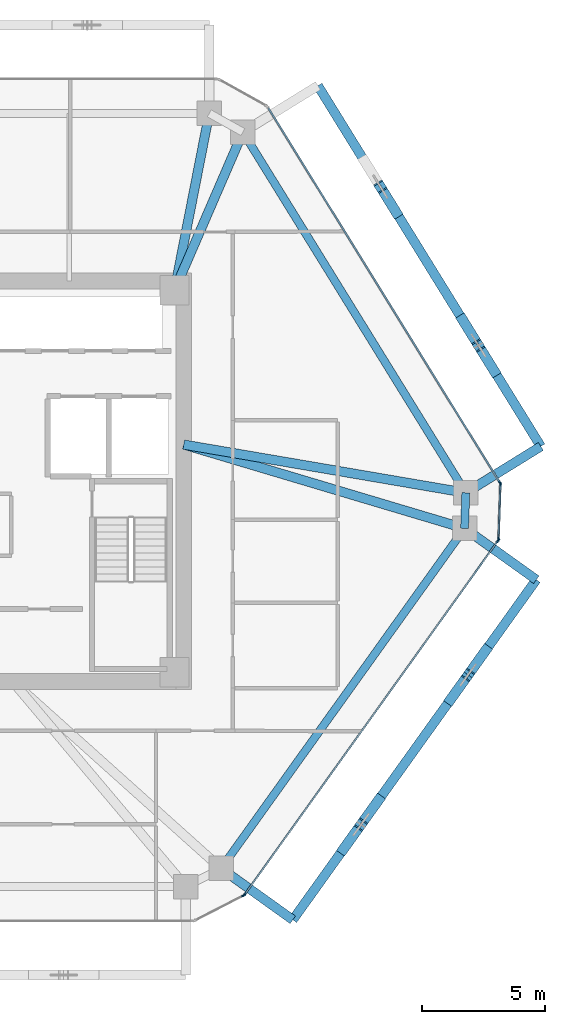
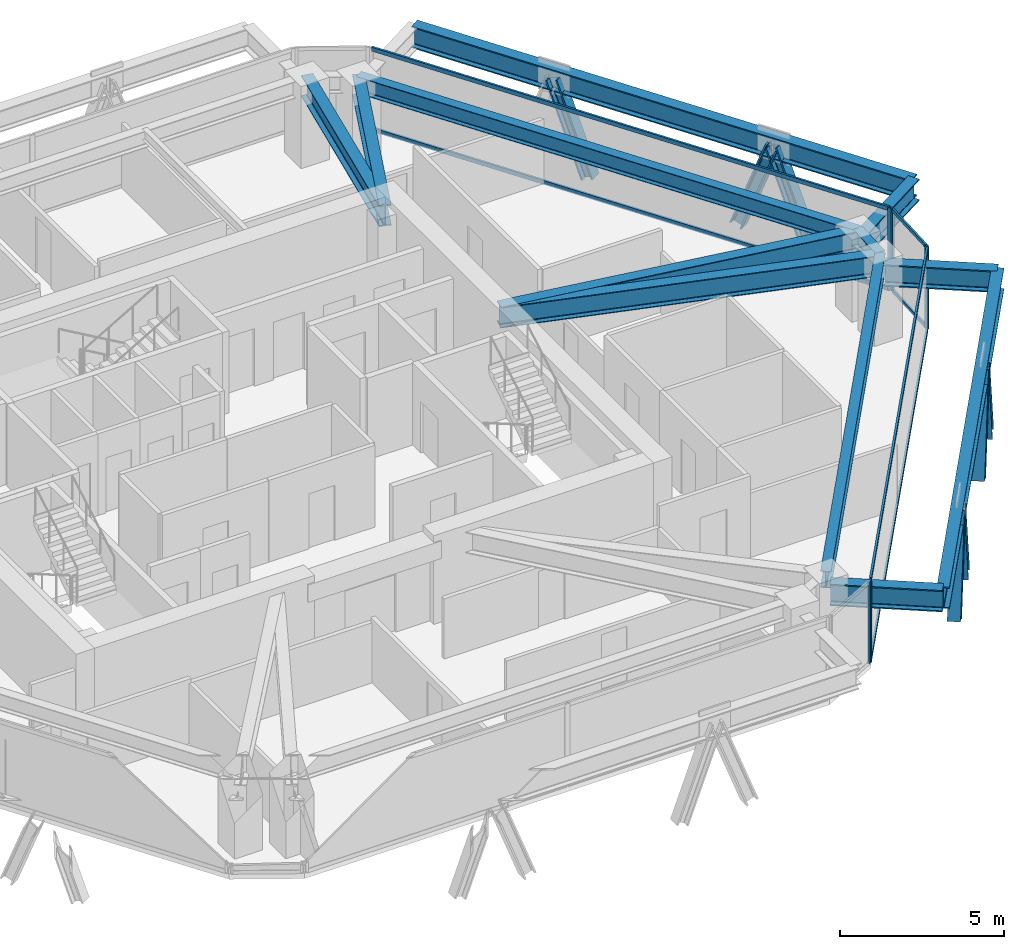
# One storey, part 5 of 14: 19 members, 12 beams, 4 elements without a shape of their own.
"""IFC4 building model written with IfcOpenShell, lengths in metres."""

from ifc_helpers import new_model, si_unit, direction, frame, origin, origin_2d, place, context, subcontext, project, spatial, rectangle, i_section, extrude, source, transform, mapped, material, layer, layer_set, material_profile, profile_set, type_object, type_shapes, element, aggregate, save


model = new_model("IFC4")

# Units and contexts
model_context = context("Model", 3, precision=1e-05, world=origin(), true_north=direction((0.0, 1.0)))
body_context = subcontext(model_context, "Body", "Model", "MODEL_VIEW")
ifc_project = project(units=[si_unit("LENGTHUNIT", "METRE"), si_unit("AREAUNIT", "SQUARE_METRE"), si_unit("VOLUMEUNIT", "CUBIC_METRE"), si_unit("PLANEANGLEUNIT", "RADIAN"), si_unit("MASSUNIT", "GRAM", prefix="KILO")], contexts=[model_context])

# Site, building, storey
site_placement = place(None, origin())
site = spatial("IfcSite", under=ifc_project, at=site_placement, CompositionType="ELEMENT")
building_placement = place(site_placement, origin())
building = spatial("IfcBuilding", under=site, at=building_placement, Name="Durnholm Broadcast Tower", CompositionType="ELEMENT")
storey_placement = place(building_placement, frame((0.0, 0.0, 193.60009765625)))
storey = spatial("IfcBuildingStorey", under=building, at=storey_placement, Name="L53", CompositionType="ELEMENT", Elevation=193.60009765625)

# Beams
ifc_material_1 = material(Name="Steel ASTM A992 Grade 50", Category="steel")
ifc_material_profile_1 = material_profile(ifc_material_1, i_section(OverallWidth=0.385009765625, OverallDepth=0.802978515625, WebThickness=0.023681640625, FlangeThickness=0.0419921875, FilletRadius=0.032958984375, at=origin_2d()), Name="W30X261")
ifc_profile_set_1 = profile_set([ifc_material_profile_1], Name="Steel ASTM A992 Grade 50")
beam_type_1 = type_object("IfcBeamType", Name="BM-EXO-TIE", PredefinedType="USERDEFINED", material=ifc_profile_set_1)
shared_shape_1 = source(origin(), body_context, "Body", "SweptSolid", [
    extrude(i_section(OverallWidth=0.385009765625, OverallDepth=0.802978515625, WebThickness=0.023681640625, FlangeThickness=0.0419921875, FilletRadius=0.032958984375, at=origin_2d()), origin(), (0.0, 0.0, 1.0), 3.4560546875),
])
for number, where, z_axis, x_axis, name in (
    (1, (11.81689453125, -15.884033203125, 2.308349609375), (0.813079048773, -0.582153296346, 0.0), (0.582153296346, 0.813079048773, 0.0), "L53 exoskeleton stand-off tie bracket F2.1"),
    (2, (21.7548828125, -2.00341796875, 2.308349609375), (0.813079048773, -0.582153296346, 0.0), (0.582153296346, 0.813079048773, 0.0), "L53 exoskeleton stand-off tie bracket F2.2"),
    (3, (21.8095703125, -0.3916015625, 2.308349609375), (0.850662348375, 0.525712439512, 0.0), (-0.525712439512, 0.850662348375, 0.0), "L53 exoskeleton stand-off tie bracket F3.1"),
):
    element("IfcBeam", number, at=place(storey_placement, frame(where, z_axis=z_axis, x_axis=x_axis)), inside=storey, type_object=beam_type_1, Name=name, ObjectType="GIRDER", PredefinedType="USERDEFINED", context=body_context, shape_type="MappedRepresentation", body=[
        mapped(shared_shape_1, transform((0.0, 0.0, 0.0), x_axis=(1.0, 0.0, 0.0), y_axis=(0.0, 1.0, 0.0), z_axis=(0.0, 0.0, 1.0), scale=1.0)),
    ])
ifc_material_profile_2 = material_profile(ifc_material_1, i_section(OverallWidth=0.3251953125, OverallDepth=0.6162109375, WebThickness=0.013916015625, FlangeThickness=0.021484375, FilletRadius=0.02783203125, at=origin_2d()), Name="W24X117")
ifc_profile_set_2 = profile_set([ifc_material_profile_2], Name="Steel ASTM A992 Grade 50")
beam_type_2 = type_object("IfcBeamType", Name="STL-SP-W24X117", PredefinedType="SPANDREL", material=ifc_profile_set_2)
shared_shape_2 = source(origin(), body_context, "Body", "SweptSolid", [
    extrude(i_section(OverallWidth=0.3251953125, OverallDepth=0.6162109375, WebThickness=0.013916015625, FlangeThickness=0.021484375, FilletRadius=0.02783203125, at=origin_2d()), origin(), (0.0, 0.0, 1.0), 17.30322265625),
])
beam_1_placement = place(storey_placement, frame((12.5908203125, 14.252197265625, 2.73681640625), z_axis=(0.525691424148, -0.850675335588, 0.0), x_axis=(0.850675335588, 0.525691424148, 0.0)))
element("IfcBeam", 4, at=beam_1_placement, inside=storey, type_object=beam_type_2, Name="L53 perimeter spandrel girder 07", PredefinedType="SPANDREL", context=body_context, shape_type="MappedRepresentation", body=[
    mapped(shared_shape_2, transform((0.0, 0.0, 0.0), x_axis=(1.0, 0.0, 0.0), y_axis=(0.0, 1.0, 0.0), z_axis=(0.0, 0.0, 1.0), scale=1.0)),
])
shared_shape_3 = source(origin(), body_context, "Body", "SweptSolid", [
    extrude(i_section(OverallWidth=0.3251953125, OverallDepth=0.6162109375, WebThickness=0.013916015625, FlangeThickness=0.021484375, FilletRadius=0.02783203125, at=origin_2d()), origin(), (0.0, 0.0, 1.0), 1.453125),
])
beam_2_placement = place(storey_placement, frame((21.68701171875, -0.46728515625, 2.73681640625), z_axis=(-0.033767922326, -0.99942970109, 0.0), x_axis=(0.99942970109, -0.033767922326, 0.0)))
element("IfcBeam", 5, at=beam_2_placement, inside=storey, type_object=beam_type_2, Name="L53 perimeter spandrel girder 08", PredefinedType="SPANDREL", context=body_context, shape_type="MappedRepresentation", body=[
    mapped(shared_shape_3, transform((0.0, 0.0, 0.0), x_axis=(1.0, 0.0, 0.0), y_axis=(0.0, 1.0, 0.0), z_axis=(0.0, 0.0, 1.0), scale=1.0)),
])
shared_shape_4 = source(origin(), body_context, "Body", "SweptSolid", [
    extrude(i_section(OverallWidth=0.3251953125, OverallDepth=0.6162109375, WebThickness=0.013916015625, FlangeThickness=0.021484375, FilletRadius=0.02783203125, at=origin_2d()), origin(), (0.0, 0.0, 1.0), 17.071533203125),
])
type_shapes(beam_type_2, [shared_shape_2, shared_shape_3, shared_shape_4])
beam_3_placement = place(storey_placement, frame((21.637939453125, -1.919677734375, 2.73681640625), z_axis=(-0.582149612352, -0.813081686449, 0.0), x_axis=(0.813081686449, -0.582149612352, 0.0)))
element("IfcBeam", 6, at=beam_3_placement, inside=storey, type_object=beam_type_2, Name="L53 perimeter spandrel girder 09", PredefinedType="SPANDREL", context=body_context, shape_type="MappedRepresentation", body=[
    mapped(shared_shape_4, transform((0.0, 0.0, 0.0), x_axis=(1.0, 0.0, 0.0), y_axis=(0.0, 1.0, 0.0), z_axis=(0.0, 0.0, 1.0), scale=1.0)),
])
ifc_material_profile_3 = material_profile(ifc_material_1, i_section(OverallWidth=0.380615234375, OverallDepth=0.773193359375, WebThickness=0.0166015625, FlangeThickness=0.027099609375, FilletRadius=0.032958984375, at=origin_2d()), Name="W30X173")
ifc_profile_set_3 = profile_set([ifc_material_profile_3], Name="Steel ASTM A992 Grade 50")
beam_type_3 = type_object("IfcBeamType", Name="STL-GR-W30X173", PredefinedType="USERDEFINED", material=ifc_profile_set_3)
shared_shape_5 = source(origin(), body_context, "Body", "SweptSolid", [
    extrude(i_section(OverallWidth=0.380615234375, OverallDepth=0.773193359375, WebThickness=0.0166015625, FlangeThickness=0.027099609375, FilletRadius=0.032958984375, at=origin_2d()), origin(), (0.0, 0.0, 1.0), 7.35595703125),
])
beam_4_placement = place(storey_placement, frame((9.800048828125, 7.800048828125, 2.658203125), z_axis=(0.192700221893, 0.981257674865, 0.0), x_axis=(-0.981257674865, 0.192700221893, 0.0)))
element("IfcBeam", 7, at=beam_4_placement, inside=storey, type_object=beam_type_3, Name="L53 radial primary floor girder 06", ObjectType="GIRDER", PredefinedType="USERDEFINED", context=body_context, shape_type="MappedRepresentation", body=[
    mapped(shared_shape_5, transform((0.0, 0.0, 0.0), x_axis=(1.0, 0.0, 0.0), y_axis=(0.0, 1.0, 0.0), z_axis=(0.0, 0.0, 1.0), scale=1.0)),
])
shared_shape_6 = source(origin(), body_context, "Body", "SweptSolid", [
    extrude(i_section(OverallWidth=0.380615234375, OverallDepth=0.773193359375, WebThickness=0.0166015625, FlangeThickness=0.027099609375, FilletRadius=0.032958984375, at=origin_2d()), origin(), (0.0, 0.0, 1.0), 7.02978515625),
])
beam_5_placement = place(storey_placement, frame((9.800048828125, 7.800048828125, 2.658203125), z_axis=(0.396989434191, 0.91782317967, 0.0), x_axis=(-0.91782317967, 0.396989434191, 0.0)))
element("IfcBeam", 8, at=beam_5_placement, inside=storey, type_object=beam_type_3, Name="L53 radial primary floor girder 07", ObjectType="GIRDER", PredefinedType="USERDEFINED", context=body_context, shape_type="MappedRepresentation", body=[
    mapped(shared_shape_6, transform((0.0, 0.0, 0.0), x_axis=(1.0, 0.0, 0.0), y_axis=(0.0, 1.0, 0.0), z_axis=(0.0, 0.0, 1.0), scale=1.0)),
])
shared_shape_7 = source(origin(), body_context, "Body", "SweptSolid", [
    extrude(i_section(OverallWidth=0.385009765625, OverallDepth=0.802978515625, WebThickness=0.023681640625, FlangeThickness=0.0419921875, FilletRadius=0.032958984375, at=origin_2d()), origin(), (0.0, 0.0, 1.0), 17.071533203125),
])
beam_6_placement = place(storey_placement, frame((14.626953125, -17.89599609375, 2.308349609375), z_axis=(0.582140157836, 0.813088455603, 0.0), x_axis=(-0.813088455603, 0.582140157836, 0.0)))
element("IfcBeam", 9, at=beam_6_placement, inside=storey, type_object=beam_type_1, Name="L53 exoskeleton collector spandrel F2", PredefinedType="SPANDREL", context=body_context, shape_type="MappedRepresentation", body=[
    mapped(shared_shape_7, transform((0.0, 0.0, 0.0), x_axis=(1.0, 0.0, 0.0), y_axis=(0.0, 1.0, 0.0), z_axis=(0.0, 0.0, 1.0), scale=1.0)),
])
shared_shape_8 = source(origin(), body_context, "Body", "SweptSolid", [
    extrude(i_section(OverallWidth=0.385009765625, OverallDepth=0.802978515625, WebThickness=0.023681640625, FlangeThickness=0.0419921875, FilletRadius=0.032958984375, at=origin_2d()), origin(), (0.0, 0.0, 1.0), 17.303466796875),
])
type_shapes(beam_type_1, [shared_shape_1, shared_shape_7, shared_shape_8])
beam_7_placement = place(storey_placement, frame((24.74951171875, 1.42529296875, 2.308349609375), z_axis=(-0.525701634347, 0.850669025911, 0.0), x_axis=(-0.850669025911, -0.525701634347, 0.0)))
element("IfcBeam", 10, at=beam_7_placement, inside=storey, type_object=beam_type_1, Name="L53 exoskeleton collector spandrel F3", PredefinedType="SPANDREL", context=body_context, shape_type="MappedRepresentation", body=[
    mapped(shared_shape_8, transform((0.0, 0.0, 0.0), x_axis=(1.0, 0.0, 0.0), y_axis=(0.0, 1.0, 0.0), z_axis=(0.0, 0.0, 1.0), scale=1.0)),
])
shared_shape_9 = source(origin(), body_context, "Body", "SweptSolid", [
    extrude(i_section(OverallWidth=0.380615234375, OverallDepth=0.773193359375, WebThickness=0.0166015625, FlangeThickness=0.027099609375, FilletRadius=0.032958984375, at=origin_2d()), origin(), (0.0, 0.0, 1.0), 11.678955078125),
])
beam_8_placement = place(storey_placement, frame((10.175048828125, 1.5, 2.658203125), z_axis=(0.985710446264, -0.168448556317, 0.0), x_axis=(0.168448556317, 0.985710446264, 0.0)))
element("IfcBeam", 11, at=beam_8_placement, inside=storey, type_object=beam_type_3, Name="L53 radial primary floor girder 08", ObjectType="GIRDER", PredefinedType="USERDEFINED", context=body_context, shape_type="MappedRepresentation", body=[
    mapped(shared_shape_9, transform((0.0, 0.0, 0.0), x_axis=(1.0, 0.0, 0.0), y_axis=(0.0, 1.0, 0.0), z_axis=(0.0, 0.0, 1.0), scale=1.0)),
])
shared_shape_10 = source(origin(), body_context, "Body", "SweptSolid", [
    extrude(i_section(OverallWidth=0.380615234375, OverallDepth=0.773193359375, WebThickness=0.0166015625, FlangeThickness=0.027099609375, FilletRadius=0.032958984375, at=origin_2d()), origin(), (0.0, 0.0, 1.0), 11.962158203125),
])
type_shapes(beam_type_3, [shared_shape_5, shared_shape_6, shared_shape_9, shared_shape_10])
beam_9_placement = place(storey_placement, frame((10.175048828125, 1.5, 2.658203125), z_axis=(0.958266673737, -0.285875815706, 0.0), x_axis=(0.285875815706, 0.958266673737, 0.0)))
element("IfcBeam", 12, at=beam_9_placement, inside=storey, type_object=beam_type_3, Name="L53 radial primary floor girder 09", ObjectType="GIRDER", PredefinedType="USERDEFINED", context=body_context, shape_type="MappedRepresentation", body=[
    mapped(shared_shape_10, transform((0.0, 0.0, 0.0), x_axis=(1.0, 0.0, 0.0), y_axis=(0.0, 1.0, 0.0), z_axis=(0.0, 0.0, 1.0), scale=1.0)),
])

# Members
ifc_material_2 = material(Name="Steel ASTM A913 Grade 65", Category="steel")
ifc_material_profile_4 = material_profile(ifc_material_2, i_section(OverallWidth=0.412109375, OverallDepth=0.434814453125, WebThickness=0.035888671875, FlangeThickness=0.057373046875, FilletRadius=0.030517578125, at=origin_2d()), Name="W14X311")
ifc_profile_set_4 = profile_set([ifc_material_profile_4], Name="Steel ASTM A913 Grade 65")
member_type_1 = type_object("IfcMemberType", Name="STL-DG-W14X311", PredefinedType="BRACE", material=ifc_profile_set_4)
shared_shape_11 = source(origin(), body_context, "Body", "SweptSolid", [
    extrude(i_section(OverallWidth=0.412109375, OverallDepth=0.434814453125, WebThickness=0.035888671875, FlangeThickness=0.057373046875, FilletRadius=0.030517578125, at=origin_2d()), origin(), (0.0, 0.0, 1.0), 3.52294921875),
])
for number, where, z_axis, x_axis, name in (
    (13, (16.69140625, -15.0126953125, -0.991455078125), (0.203882467945, 0.284756308901, 0.936667381628), (-0.813077820009, 0.582155012526, 0.0), "L53 stand-off diagrid brace F2.D1.1"),
    (14, (18.1279296875, -13.00634765625, -0.991455078125), (-0.203882467945, -0.284756308901, 0.936667381628), (0.813077820009, -0.582155012526, 0.0), "L53 stand-off diagrid brace F2.D1.2"),
    (15, (21.064208984375, -8.905029296875, -0.991455078125), (0.203882467945, 0.284756308901, 0.936667381628), (-0.813077820009, 0.582155012526, 0.0), "L53 stand-off diagrid brace F2.D2.1"),
    (16, (22.50048828125, -6.898681640625, -0.991455078125), (-0.203816046596, -0.284760331677, 0.936680614005), (0.813171482985, -0.58202417412, 0.0), "L53 stand-off diagrid brace F2.D2.2"),
    (17, (22.85107421875, 4.497314453125, -0.991455078125), (-0.18413098891, 0.297922138248, 0.936663321832), (-0.850644447398, -0.525741404219, 0.0), "L53 stand-off diagrid brace F3.D1.1"),
):
    element("IfcMember", number, at=place(storey_placement, frame(where, z_axis=z_axis, x_axis=x_axis)), inside=storey, type_object=member_type_1, Name=name, PredefinedType="BRACE", context=body_context, shape_type="MappedRepresentation", body=[
        mapped(shared_shape_11, transform((0.0, 0.0, 0.0), x_axis=(1.0, 0.0, 0.0), y_axis=(0.0, 1.0, 0.0), z_axis=(0.0, 0.0, 1.0), scale=1.0)),
    ])
shared_shape_12 = source(origin(), body_context, "Body", "SweptSolid", [
    extrude(i_section(OverallWidth=0.412109375, OverallDepth=0.434814453125, WebThickness=0.035888671875, FlangeThickness=0.057373046875, FilletRadius=0.030517578125, at=origin_2d()), origin(), (0.0, 0.0, 1.0), 3.522705078125),
])
type_shapes(member_type_1, [shared_shape_11, shared_shape_12])
for number, where, z_axis, x_axis, name in (
    (18, (21.553955078125, 6.59619140625, -0.991455078125), (0.184067836846, -0.297862787185, 0.936694609491), (0.85067825406, 0.525686701439, 0.0), "L53 stand-off diagrid brace F3.D1.2"),
    (19, (18.8486328125, 10.973876953125, -0.991455078125), (-0.184067836846, 0.297862787185, 0.936694609491), (-0.85067825406, -0.525686701439, 0.0), "L53 stand-off diagrid brace F3.D2.1"),
):
    element("IfcMember", number, at=place(storey_placement, frame(where, z_axis=z_axis, x_axis=x_axis)), inside=storey, type_object=member_type_1, Name=name, PredefinedType="BRACE", context=body_context, shape_type="MappedRepresentation", body=[
        mapped(shared_shape_12, transform((0.0, 0.0, 0.0), x_axis=(1.0, 0.0, 0.0), y_axis=(0.0, 1.0, 0.0), z_axis=(0.0, 0.0, 1.0), scale=1.0)),
    ])

# Curtain wall, members
ifc_material_3 = material(Name="Aluminium and Solar Control IGU", Category="aluminium")
ifc_layer_1 = layer(ifc_material_3, 0.1650390625)
ifc_layer_set_1 = layer_set([ifc_layer_1], Name="Aluminium and Solar Control IGU")
curtain_wall_type_1 = type_object("IfcCurtainWallType", Name="CW-SYS-5", PredefinedType="NOTDEFINED", material=ifc_layer_set_1)
curtain_wall_1_placement = place(storey_placement, origin())
curtain_wall_1 = element("IfcCurtainWall", 20, at=curtain_wall_1_placement, inside=storey, type_object=curtain_wall_type_1, Name="L53 curtain wall CW-CORNER CW-L53-CRN-07", PredefinedType="NOTDEFINED")
ifc_material_4 = material(Name="Aluminium 6063-T6", Category="aluminium")
ifc_material_profile_5 = material_profile(ifc_material_4, rectangle(XDim=0.06494140625, YDim=0.1650390625, at=origin_2d()), Name="CWM65X165")
ifc_profile_set_5 = profile_set([ifc_material_profile_5], Name="Aluminium 6063-T6")
member_type_2 = type_object("IfcMemberType", Name="CW-SYS-5-MUL", PredefinedType="MULLION", material=ifc_profile_set_5)
shared_shape_13 = source(origin(), body_context, "Body", "SweptSolid", [
    extrude(rectangle(XDim=0.06494140625, YDim=0.1650390625, at=origin_2d()), origin(), (0.0, 0.0, 1.0), 3.059814453125),
])
type_shapes(member_type_2, [shared_shape_13])
member_1_placement = place(storey_placement, frame((23.099609375, -0.1240234375, 0.0), z_axis=(0.0, 0.0, 1.0), x_axis=(0.999424798802, -0.033912704699, 0.0)))
member_1 = element("IfcMember", 21, at=member_1_placement, type_object=member_type_2, Name="CW-CORNER mullion 1", PredefinedType="MULLION", context=body_context, shape_type="MappedRepresentation", body=[
    mapped(shared_shape_13, transform((0.0, 0.0, 0.0), x_axis=(1.0, 0.0, 0.0), y_axis=(0.0, 1.0, 0.0), z_axis=(0.0, 0.0, 1.0), scale=1.0)),
])
member_2_placement = place(storey_placement, frame((23.023681640625, -2.35791015625, 0.0), z_axis=(0.0, 0.0, 1.0), x_axis=(0.999424798802, -0.033912704699, 0.0)))
member_2 = element("IfcMember", 22, at=member_2_placement, type_object=member_type_2, Name="CW-CORNER mullion 2", PredefinedType="MULLION", context=body_context, shape_type="MappedRepresentation", body=[
    mapped(shared_shape_13, transform((0.0, 0.0, 0.0), x_axis=(1.0, 0.0, 0.0), y_axis=(0.0, 1.0, 0.0), z_axis=(0.0, 0.0, 1.0), scale=1.0)),
])

# Curtain wall, member
curtain_wall_2_placement = place(storey_placement, origin())
curtain_wall_2 = element("IfcCurtainWall", 23, at=curtain_wall_2_placement, inside=storey, type_object=curtain_wall_type_1, Name="L53 curtain wall CW-CORNER CW-L53-CRN-09", PredefinedType="NOTDEFINED")
member_3_placement = place(storey_placement, frame((12.612060546875, -16.905517578125, 0.0), z_axis=(0.0, 0.0, 1.0), x_axis=(0.457081764476, -0.889424679545, 0.0)))
member_3 = element("IfcMember", 24, at=member_3_placement, type_object=member_type_2, Name="CW-CORNER mullion 1", PredefinedType="MULLION", context=body_context, shape_type="MappedRepresentation", body=[
    mapped(shared_shape_13, transform((0.0, 0.0, 0.0), x_axis=(1.0, 0.0, 0.0), y_axis=(0.0, 1.0, 0.0), z_axis=(0.0, 0.0, 1.0), scale=1.0)),
])
aggregate(curtain_wall_2, [member_3])

# Member
ifc_material_profile_6 = material_profile(ifc_material_4, rectangle(XDim=0.06494140625, YDim=0.1298828125, at=origin_2d()), Name="CWT65X130")
ifc_profile_set_6 = profile_set([ifc_material_profile_6], Name="Aluminium 6063-T6")
member_type_3 = type_object("IfcMemberType", Name="CW-SYS-5-TRN", PredefinedType="USERDEFINED", material=ifc_profile_set_6)
shared_shape_14 = source(origin(), body_context, "Body", "SweptSolid", [
    extrude(rectangle(XDim=0.06494140625, YDim=0.1298828125, at=origin_2d()), origin(), (0.0, 0.0, 1.0), 2.170166015625),
])
type_shapes(member_type_3, [shared_shape_14])
member_4_placement = place(storey_placement, frame((23.098388671875, -0.156494140625, 0.032470703125), z_axis=(-0.033861704743, -0.999426528041, 0.0), x_axis=(0.999426528041, -0.033861704743, 0.0)))
member_4 = element("IfcMember", 25, at=member_4_placement, type_object=member_type_3, Name="CW-CORNER transom 1.1", ObjectType="TRANSOM", PredefinedType="USERDEFINED", context=body_context, shape_type="MappedRepresentation", body=[
    mapped(shared_shape_14, transform((0.0, 0.0, 0.0), x_axis=(1.0, 0.0, 0.0), y_axis=(0.0, 1.0, 0.0), z_axis=(0.0, 0.0, 1.0), scale=1.0)),
])

member_5_placement = place(storey_placement, frame((23.098388671875, -0.156494140625, 3.02734375), z_axis=(-0.033861704743, -0.999426528041, 0.0), x_axis=(0.999426528041, -0.033861704743, 0.0)))
member_5 = element("IfcMember", 26, at=member_5_placement, type_object=member_type_3, Name="CW-CORNER transom 1.2", ObjectType="TRANSOM", PredefinedType="USERDEFINED", context=body_context, shape_type="MappedRepresentation", body=[
    mapped(shared_shape_14, transform((0.0, 0.0, 0.0), x_axis=(1.0, 0.0, 0.0), y_axis=(0.0, 1.0, 0.0), z_axis=(0.0, 0.0, 1.0), scale=1.0)),
])

aggregate(curtain_wall_1, [member_1, member_2, member_4, member_5])

# Curtain wall, members
ifc_layer_2 = layer(ifc_material_3, 0.18994140625)
ifc_layer_set_2 = layer_set([ifc_layer_2], Name="Aluminium and Solar Control IGU")
curtain_wall_type_2 = type_object("IfcCurtainWallType", Name="CW-SYS-4", PredefinedType="NOTDEFINED", material=ifc_layer_set_2)
curtain_wall_3_placement = place(storey_placement, origin())
curtain_wall_3 = element("IfcCurtainWall", 27, at=curtain_wall_3_placement, inside=storey, type_object=curtain_wall_type_2, Name="L53 curtain wall CW-Z34-VIS CW-L53-F06", PredefinedType="NOTDEFINED")
ifc_material_profile_7 = material_profile(ifc_material_4, rectangle(XDim=0.070068359375, YDim=0.14990234375, at=origin_2d()), Name="CWT70X150")
ifc_profile_set_7 = profile_set([ifc_material_profile_7], Name="Aluminium 6063-T6")
member_type_4 = type_object("IfcMemberType", Name="CW-SYS-4-TRN", PredefinedType="USERDEFINED", material=ifc_profile_set_7)
shared_shape_15 = source(origin(), body_context, "Body", "SweptSolid", [
    extrude(rectangle(XDim=0.070068359375, YDim=0.14990234375, at=origin_2d()), origin(), (0.0, 0.0, 1.0), 17.950927734375),
])
member_6_placement = place(storey_placement, frame((13.627197265625, 15.23828125, 0.034912109375), z_axis=(0.525699895853, -0.850670100274, 0.0), x_axis=(0.850670100274, 0.525699895853, 0.0)))
member_6 = element("IfcMember", 28, at=member_6_placement, type_object=member_type_4, Name="CW-Z34-VIS transom 1.1", ObjectType="TRANSOM", PredefinedType="USERDEFINED", context=body_context, shape_type="MappedRepresentation", body=[
    mapped(shared_shape_15, transform((0.0, 0.0, 0.0), x_axis=(1.0, 0.0, 0.0), y_axis=(0.0, 1.0, 0.0), z_axis=(0.0, 0.0, 1.0), scale=1.0)),
])
member_7_placement = place(storey_placement, frame((13.627197265625, 15.23828125, 3.02490234375), z_axis=(0.525699895853, -0.850670100274, 0.0), x_axis=(0.850670100274, 0.525699895853, 0.0)))
member_7 = element("IfcMember", 29, at=member_7_placement, type_object=member_type_4, Name="CW-Z34-VIS transom 1.2", ObjectType="TRANSOM", PredefinedType="USERDEFINED", context=body_context, shape_type="MappedRepresentation", body=[
    mapped(shared_shape_15, transform((0.0, 0.0, 0.0), x_axis=(1.0, 0.0, 0.0), y_axis=(0.0, 1.0, 0.0), z_axis=(0.0, 0.0, 1.0), scale=1.0)),
])

curtain_wall_4_placement = place(storey_placement, origin())
curtain_wall_4 = element("IfcCurtainWall", 30, at=curtain_wall_4_placement, inside=storey, type_object=curtain_wall_type_2, Name="L53 curtain wall CW-Z34-VIS CW-L53-F08", PredefinedType="NOTDEFINED")
shared_shape_16 = source(origin(), body_context, "Body", "SweptSolid", [
    extrude(rectangle(XDim=0.070068359375, YDim=0.14990234375, at=origin_2d()), origin(), (0.0, 0.0, 1.0), 17.693603515625),
])
type_shapes(member_type_4, [shared_shape_15, shared_shape_16])
member_8_placement = place(storey_placement, frame((22.98193359375, -2.447265625, 0.034912109375), z_axis=(-0.582144969277, -0.813085010774, 0.0), x_axis=(0.813085010774, -0.582144969277, 0.0)))
member_8 = element("IfcMember", 31, at=member_8_placement, type_object=member_type_4, Name="CW-Z34-VIS transom 1.1", ObjectType="TRANSOM", PredefinedType="USERDEFINED", context=body_context, shape_type="MappedRepresentation", body=[
    mapped(shared_shape_16, transform((0.0, 0.0, 0.0), x_axis=(1.0, 0.0, 0.0), y_axis=(0.0, 1.0, 0.0), z_axis=(0.0, 0.0, 1.0), scale=1.0)),
])
member_9_placement = place(storey_placement, frame((22.98193359375, -2.447265625, 3.02490234375), z_axis=(-0.582144969277, -0.813085010774, 0.0), x_axis=(0.813085010774, -0.582144969277, 0.0)))
member_9 = element("IfcMember", 32, at=member_9_placement, type_object=member_type_4, Name="CW-Z34-VIS transom 1.2", ObjectType="TRANSOM", PredefinedType="USERDEFINED", context=body_context, shape_type="MappedRepresentation", body=[
    mapped(shared_shape_16, transform((0.0, 0.0, 0.0), x_axis=(1.0, 0.0, 0.0), y_axis=(0.0, 1.0, 0.0), z_axis=(0.0, 0.0, 1.0), scale=1.0)),
])

# Member
ifc_material_profile_8 = material_profile(ifc_material_4, rectangle(XDim=0.070068359375, YDim=0.18994140625, at=origin_2d()), Name="CWM70X190")
ifc_profile_set_8 = profile_set([ifc_material_profile_8], Name="Aluminium 6063-T6")
member_type_5 = type_object("IfcMemberType", Name="CW-SYS-4-MUL", PredefinedType="MULLION", material=ifc_profile_set_8)
shared_shape_17 = source(origin(), body_context, "Body", "SweptSolid", [
    extrude(rectangle(XDim=0.070068359375, YDim=0.18994140625, at=origin_2d()), origin(), (0.0, 0.0, 1.0), 3.059814453125),
])
type_shapes(member_type_5, [shared_shape_17])
member_10_placement = place(storey_placement, frame((23.082275390625, -0.061767578125, 0.0), z_axis=(0.0, 0.0, 1.0), x_axis=(0.850671426092, 0.525697750452, 0.0)))
member_10 = element("IfcMember", 33, at=member_10_placement, type_object=member_type_5, Name="CW-Z34-VIS mullion 2", PredefinedType="MULLION", context=body_context, shape_type="MappedRepresentation", body=[
    mapped(shared_shape_17, transform((0.0, 0.0, 0.0), x_axis=(1.0, 0.0, 0.0), y_axis=(0.0, 1.0, 0.0), z_axis=(0.0, 0.0, 1.0), scale=1.0)),
])

aggregate(curtain_wall_3, [member_10, member_6, member_7])

member_11_placement = place(storey_placement, frame((23.00244140625, -2.418701171875, 0.0), z_axis=(0.0, 0.0, 1.0), x_axis=(0.813089262696, -0.582139030549, 0.0)))
member_11 = element("IfcMember", 34, at=member_11_placement, type_object=member_type_5, Name="CW-Z34-VIS mullion 1", PredefinedType="MULLION", context=body_context, shape_type="MappedRepresentation", body=[
    mapped(shared_shape_17, transform((0.0, 0.0, 0.0), x_axis=(1.0, 0.0, 0.0), y_axis=(0.0, 1.0, 0.0), z_axis=(0.0, 0.0, 1.0), scale=1.0)),
])

member_12_placement = place(storey_placement, frame((12.661376953125, -16.8623046875, 0.0), z_axis=(0.0, 0.0, 1.0), x_axis=(0.813089262696, -0.582139030549, 0.0)))
member_12 = element("IfcMember", 35, at=member_12_placement, type_object=member_type_5, Name="CW-Z34-VIS mullion 2", PredefinedType="MULLION", context=body_context, shape_type="MappedRepresentation", body=[
    mapped(shared_shape_17, transform((0.0, 0.0, 0.0), x_axis=(1.0, 0.0, 0.0), y_axis=(0.0, 1.0, 0.0), z_axis=(0.0, 0.0, 1.0), scale=1.0)),
])

aggregate(curtain_wall_4, [member_11, member_12, member_8, member_9])

save(model, "model.ifc")
